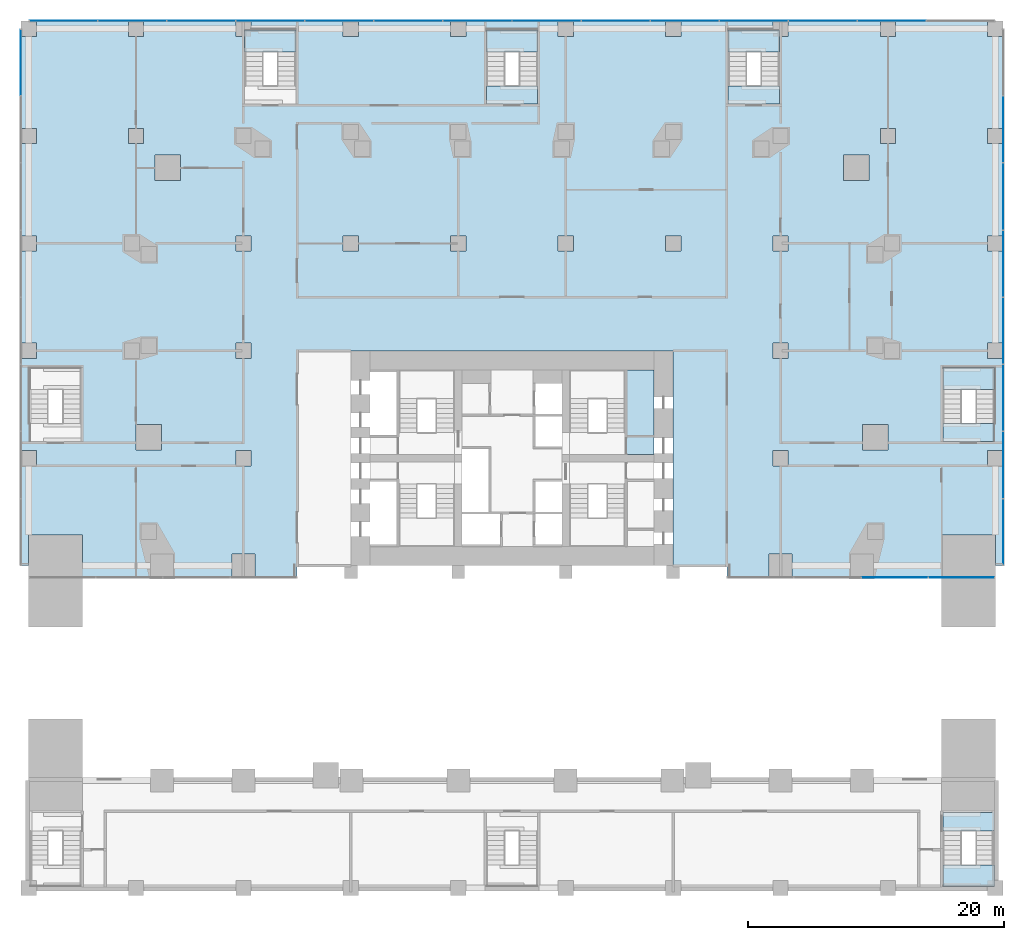
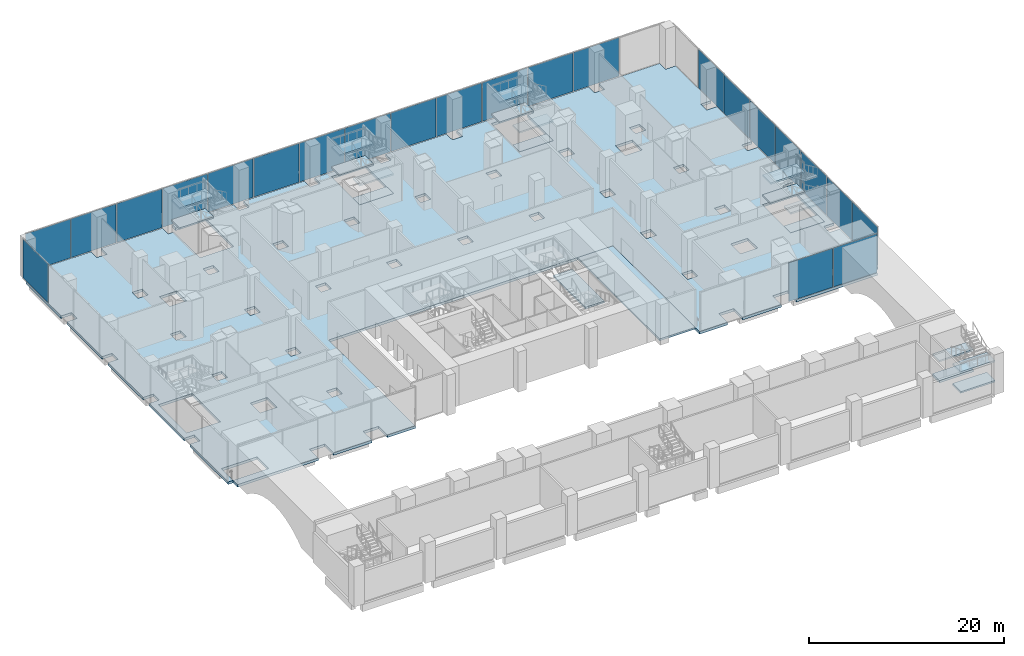
# One storey, part 14 of 28: 23 plates, 21 slabs, 9 elements without a shape of their own.
"""IFC4 building model written with IfcOpenShell, lengths in metres."""

from ifc_helpers import new_model, si_unit, direction, frame, origin, origin_2d, place, context, subcontext, project, spatial, polyline, rectangle, outline, extrude, material, layer, layer_set, type_object, element, aggregate, save


model = new_model("IFC4")

# Units and contexts
model_context = context("Model", 3, precision=1e-05, world=origin(), true_north=direction((0.0, 1.0)))
body_context = subcontext(model_context, "Body", "Model", "MODEL_VIEW")
ifc_project = project(units=[si_unit("LENGTHUNIT", "METRE"), si_unit("AREAUNIT", "SQUARE_METRE"), si_unit("VOLUMEUNIT", "CUBIC_METRE"), si_unit("PLANEANGLEUNIT", "RADIAN"), si_unit("MASSUNIT", "GRAM", prefix="KILO")], contexts=[model_context])

# Site, building, storey
site_placement = place(None, origin())
site = spatial("IfcSite", under=ifc_project, at=site_placement, CompositionType="ELEMENT")
building_placement = place(site_placement, origin())
building = spatial("IfcBuilding", under=site, at=building_placement, Name="Marenta Gate Hotel Tower", CompositionType="ELEMENT")
storey_placement = place(building_placement, frame((0.0, 0.0, 26.0)))
storey = spatial("IfcBuildingStorey", under=building, at=storey_placement, Name="L04", CompositionType="ELEMENT", Elevation=26.0)

# Slabs
ifc_material_1 = material(Name="Concrete C40", Category="concrete")
ifc_layer_1 = layer(ifc_material_1, 0.219970703125)
ifc_layer_set_1 = layer_set([ifc_layer_1], Name="Concrete C40")
slab_type_1 = type_object("IfcSlabType", Name="Core floor slab 220", PredefinedType="FLOOR", material=ifc_layer_set_1)
slab_1_placement = place(storey_placement, frame((0.0, 0.0, -0.219970703125)))
element("IfcSlab", 1, at=slab_1_placement, inside=storey, type_object=slab_type_1, Name="L04-CF-1", PredefinedType="FLOOR", context=body_context, shape_type="SweptSolid", body=[
    extrude(outline(polyline([(12.60009765625, 0.0), (12.60009765625, 16.800048828125), (16.800048828125, 16.800048828125), (16.800048828125, 0.0), (12.60009765625, 0.0)])), origin(), (0.0, 0.0, 1.0), 0.219970703125),
])
slab_2_placement = place(storey_placement, frame((0.0, 0.0, -0.219970703125)))
element("IfcSlab", 2, at=slab_2_placement, inside=storey, type_object=slab_type_1, Name="L04-CF-2", PredefinedType="FLOOR", context=body_context, shape_type="SweptSolid", body=[
    extrude(outline(polyline([(8.85009765625, 15.300048828125), (11.10009765625, 15.300048828125), (11.10009765625, 8.699951171875), (8.85009765625, 8.699951171875), (8.85009765625, 10.39990234375), (8.85009765625, 15.300048828125)])), origin(), (0.0, 0.0, 1.0), 0.219970703125),
])

# Stair, slabs
ifc_material_2 = material(Name="Concrete C40", Category="concrete")
stair_type = type_object("IfcStairType", Name="Podium exit stair 1430 wide", PredefinedType="HALF_TURN_STAIR", material=ifc_material_2)
stair_1_placement = place(storey_placement, origin())
stair_1 = element("IfcStair", 3, at=stair_1_placement, inside=storey, type_object=stair_type, Name="Podium exit stair 2", PredefinedType="HALF_TURN_STAIR")
ifc_material_3 = material(Name="Concrete C40", Category="concrete")
ifc_layer_2 = layer(ifc_material_3, 0.199951171875)
ifc_layer_set_2 = layer_set([ifc_layer_2], Name="Concrete C40")
slab_type_2 = type_object("IfcSlabType", Name="Core stair landing 200", PredefinedType="LANDING", material=ifc_layer_set_2)
slab_3_placement = place(storey_placement, frame((0.0, 0.0, 1.050048828125)))
slab_3 = element("IfcSlab", 4, at=slab_3_placement, type_object=slab_type_2, Name="SL-200 PX2 landing 1", PredefinedType="LANDING", context=body_context, shape_type="SweptSolid", body=[
    extrude(outline(polyline([(33.699951171875, -25.10009765625), (37.739990234375, -25.10009765625), (37.739990234375, -23.389892578125), (33.699951171875, -23.389892578125), (33.699951171875, -25.10009765625)])), origin(), (0.0, 0.0, 1.0), 0.199951171875),
])
slab_4_placement = place(storey_placement, frame((0.0, 0.0, 2.300048828125)))
slab_4 = element("IfcSlab", 5, at=slab_4_placement, type_object=slab_type_2, Name="SL-200 PX2 landing 2", PredefinedType="LANDING", context=body_context, shape_type="SweptSolid", body=[
    extrude(outline(polyline([(33.699951171875, -20.72998046875), (37.739990234375, -20.72998046875), (37.739990234375, -19.300048828125), (33.699951171875, -19.300048828125), (33.699951171875, -20.72998046875)])), origin(), (0.0, 0.0, 1.0), 0.199951171875),
])
slab_5_placement = place(storey_placement, frame((0.0, 0.0, 3.550048828125)))
slab_5 = element("IfcSlab", 6, at=slab_5_placement, type_object=slab_type_2, Name="SL-200 PX2 landing 3", PredefinedType="LANDING", context=body_context, shape_type="SweptSolid", body=[
    extrude(outline(polyline([(33.699951171875, -25.10009765625), (37.739990234375, -25.10009765625), (37.739990234375, -23.389892578125), (33.699951171875, -23.389892578125), (33.699951171875, -25.10009765625)])), origin(), (0.0, 0.0, 1.0), 0.199951171875),
])
aggregate(stair_1, [slab_3, slab_4, slab_5])

stair_2_placement = place(storey_placement, origin())
stair_2 = element("IfcStair", 7, at=stair_2_placement, inside=storey, type_object=stair_type, Name="Podium exit stair 3", PredefinedType="HALF_TURN_STAIR")
slab_6_placement = place(storey_placement, frame((0.0, 0.0, 1.050048828125)))
slab_6 = element("IfcSlab", 8, at=slab_6_placement, type_object=slab_type_2, Name="SL-200 PX3 landing 1", PredefinedType="LANDING", context=body_context, shape_type="SweptSolid", body=[
    extrude(outline(polyline([(-20.89990234375, 40.18994140625), (-16.89990234375, 40.18994140625), (-16.89990234375, 41.89990234375), (-20.89990234375, 41.89990234375), (-20.89990234375, 40.18994140625)])), origin(), (0.0, 0.0, 1.0), 0.199951171875),
])
slab_7_placement = place(storey_placement, frame((0.0, 0.0, 3.550048828125)))
slab_7 = element("IfcSlab", 9, at=slab_7_placement, type_object=slab_type_2, Name="SL-200 PX3 landing 3", PredefinedType="LANDING", context=body_context, shape_type="SweptSolid", body=[
    extrude(outline(polyline([(-20.89990234375, 40.18994140625), (-16.89990234375, 40.18994140625), (-16.89990234375, 41.89990234375), (-20.89990234375, 41.89990234375), (-20.89990234375, 40.18994140625)])), origin(), (0.0, 0.0, 1.0), 0.199951171875),
])
aggregate(stair_2, [slab_6, slab_7])

stair_3_placement = place(storey_placement, origin())
stair_3 = element("IfcStair", 10, at=stair_3_placement, inside=storey, type_object=stair_type, Name="Podium exit stair 4", PredefinedType="HALF_TURN_STAIR")
slab_8_placement = place(storey_placement, frame((0.0, 0.0, 1.050048828125)))
slab_8 = element("IfcSlab", 11, at=slab_8_placement, type_object=slab_type_2, Name="SL-200 PX4 landing 1", PredefinedType="LANDING", context=body_context, shape_type="SweptSolid", body=[
    extrude(outline(polyline([(16.89990234375, 40.18994140625), (20.89990234375, 40.18994140625), (20.89990234375, 41.89990234375), (16.89990234375, 41.89990234375), (16.89990234375, 40.18994140625)])), origin(), (0.0, 0.0, 1.0), 0.199951171875),
])
slab_9_placement = place(storey_placement, frame((0.0, 0.0, 2.300048828125)))
slab_9 = element("IfcSlab", 12, at=slab_9_placement, type_object=slab_type_2, Name="SL-200 PX4 landing 2", PredefinedType="LANDING", context=body_context, shape_type="SweptSolid", body=[
    extrude(outline(polyline([(16.89990234375, 36.10009765625), (20.89990234375, 36.10009765625), (20.89990234375, 37.530029296875), (16.89990234375, 37.530029296875), (16.89990234375, 36.10009765625)])), origin(), (0.0, 0.0, 1.0), 0.199951171875),
])
slab_10_placement = place(storey_placement, frame((0.0, 0.0, 3.550048828125)))
slab_10 = element("IfcSlab", 13, at=slab_10_placement, type_object=slab_type_2, Name="SL-200 PX4 landing 3", PredefinedType="LANDING", context=body_context, shape_type="SweptSolid", body=[
    extrude(outline(polyline([(16.89990234375, 40.18994140625), (20.89990234375, 40.18994140625), (20.89990234375, 41.89990234375), (16.89990234375, 41.89990234375), (16.89990234375, 40.18994140625)])), origin(), (0.0, 0.0, 1.0), 0.199951171875),
])
aggregate(stair_3, [slab_8, slab_9, slab_10])

stair_4_placement = place(storey_placement, origin())
stair_4 = element("IfcStair", 14, at=stair_4_placement, inside=storey, type_object=stair_type, Name="Podium exit stair 7", PredefinedType="HALF_TURN_STAIR")
slab_11_placement = place(storey_placement, frame((0.0, 0.0, 1.050048828125)))
slab_11 = element("IfcSlab", 15, at=slab_11_placement, type_object=slab_type_2, Name="SL-200 PX7 landing 1", PredefinedType="LANDING", context=body_context, shape_type="SweptSolid", body=[
    extrude(outline(polyline([(33.699951171875, 13.7900390625), (37.739990234375, 13.7900390625), (37.739990234375, 15.5), (33.699951171875, 15.5), (33.699951171875, 13.7900390625)])), origin(), (0.0, 0.0, 1.0), 0.199951171875),
])
slab_12_placement = place(storey_placement, frame((0.0, 0.0, 2.300048828125)))
slab_12 = element("IfcSlab", 16, at=slab_12_placement, type_object=slab_type_2, Name="SL-200 PX7 landing 2", PredefinedType="LANDING", context=body_context, shape_type="SweptSolid", body=[
    extrude(outline(polyline([(33.699951171875, 9.699951171875), (37.739990234375, 9.699951171875), (37.739990234375, 11.1298828125), (33.699951171875, 11.1298828125), (33.699951171875, 9.699951171875)])), origin(), (0.0, 0.0, 1.0), 0.199951171875),
])
slab_13_placement = place(storey_placement, frame((0.0, 0.0, 3.550048828125)))
slab_13 = element("IfcSlab", 17, at=slab_13_placement, type_object=slab_type_2, Name="SL-200 PX7 landing 3", PredefinedType="LANDING", context=body_context, shape_type="SweptSolid", body=[
    extrude(outline(polyline([(33.699951171875, 13.7900390625), (37.739990234375, 13.7900390625), (37.739990234375, 15.5), (33.699951171875, 15.5), (33.699951171875, 13.7900390625)])), origin(), (0.0, 0.0, 1.0), 0.199951171875),
])
aggregate(stair_4, [slab_11, slab_12, slab_13])

stair_5_placement = place(storey_placement, origin())
stair_5 = element("IfcStair", 18, at=stair_5_placement, inside=storey, type_object=stair_type, Name="Podium exit stair 8", PredefinedType="HALF_TURN_STAIR")
slab_14_placement = place(storey_placement, frame((0.0, 0.0, 1.050048828125)))
slab_14 = element("IfcSlab", 19, at=slab_14_placement, type_object=slab_type_2, Name="SL-200 PX8 landing 1", PredefinedType="LANDING", context=body_context, shape_type="SweptSolid", body=[
    extrude(outline(polyline([(-2.0, 40.18994140625), (2.0, 40.18994140625), (2.0, 41.89990234375), (-2.0, 41.89990234375), (-2.0, 40.18994140625)])), origin(), (0.0, 0.0, 1.0), 0.199951171875),
])
slab_15_placement = place(storey_placement, frame((0.0, 0.0, 2.300048828125)))
slab_15 = element("IfcSlab", 20, at=slab_15_placement, type_object=slab_type_2, Name="SL-200 PX8 landing 2", PredefinedType="LANDING", context=body_context, shape_type="SweptSolid", body=[
    extrude(outline(polyline([(-2.0, 36.10009765625), (2.0, 36.10009765625), (2.0, 37.530029296875), (-2.0, 37.530029296875), (-2.0, 36.10009765625)])), origin(), (0.0, 0.0, 1.0), 0.199951171875),
])
slab_16_placement = place(storey_placement, frame((0.0, 0.0, 3.550048828125)))
slab_16 = element("IfcSlab", 21, at=slab_16_placement, type_object=slab_type_2, Name="SL-200 PX8 landing 3", PredefinedType="LANDING", context=body_context, shape_type="SweptSolid", body=[
    extrude(outline(polyline([(-2.0, 40.18994140625), (2.0, 40.18994140625), (2.0, 41.89990234375), (-2.0, 41.89990234375), (-2.0, 40.18994140625)])), origin(), (0.0, 0.0, 1.0), 0.199951171875),
])
aggregate(stair_5, [slab_14, slab_15, slab_16])

# Curtain wall, plates
ifc_material_4 = material(Name="Tinted insulated glass in bronze anodised frame", Category="glass")
ifc_layer_3 = layer(ifc_material_4, 0.1201171875)
ifc_layer_set_3 = layer_set([ifc_layer_3], Name="Tinted insulated glass in bronze anodised frame")
curtain_wall_type = type_object("IfcCurtainWallType", Name="Wellness glazing CW7", PredefinedType="NOTDEFINED", material=ifc_layer_set_3)
curtain_wall_1_placement = place(storey_placement, origin())
curtain_wall_1 = element("IfcCurtainWall", 22, at=curtain_wall_1_placement, inside=storey, type_object=curtain_wall_type, Name="CW7 run NB-S100", PredefinedType="NOTDEFINED")
ifc_material_5 = material(Name="Tinted insulated glass", Category="glass")
ifc_layer_4 = layer(ifc_material_5, 0.030029296875)
ifc_layer_set_4 = layer_set([ifc_layer_4], Name="Tinted insulated glass")
plate_type = type_object("IfcPlateType", Name="Glass panel CW7 30 mm tinted insulated unit", PredefinedType="CURTAIN_PANEL", material=ifc_layer_set_4)
plate_1_placement = place(storey_placement, frame((29.925048828125, -0.9140625, 0.074951171875), z_axis=(0.0, 0.0, 1.0), x_axis=(1.0, 0.0, 0.0)))
plate_1 = element("IfcPlate", 23, at=plate_1_placement, type_object=plate_type, Name="CW7 panel 3.1", PredefinedType="CURTAIN_PANEL", context=body_context, shape_type="SweptSolid", body=[
    extrude(rectangle(XDim=5.175048828125, YDim=0.030029296875, at=origin_2d()), origin(), (0.0, 0.0, 1.0), 4.85009765625),
])
plate_2_placement = place(storey_placement, frame((35.15625, -0.9140625, 0.074951171875), z_axis=(0.0, 0.0, 1.0), x_axis=(1.0, 0.0, 0.0)))
plate_2 = element("IfcPlate", 24, at=plate_2_placement, type_object=plate_type, Name="CW7 panel 4.1", PredefinedType="CURTAIN_PANEL", context=body_context, shape_type="SweptSolid", body=[
    extrude(rectangle(XDim=5.137451171875, YDim=0.030029296875, at=origin_2d()), origin(), (0.0, 0.0, 1.0), 4.85009765625),
])
aggregate(curtain_wall_1, [plate_1, plate_2])

curtain_wall_2_placement = place(storey_placement, origin())
curtain_wall_2 = element("IfcCurtainWall", 25, at=curtain_wall_2_placement, inside=storey, type_object=curtain_wall_type, Name="CW7 run NB-E000", PredefinedType="NOTDEFINED")
plate_3_placement = place(storey_placement, frame((38.4140625, 2.643798828125, 0.074951171875), z_axis=(0.0, 0.0, 1.0), x_axis=(0.0, 1.0, 0.0)))
plate_3 = element("IfcPlate", 26, at=plate_3_placement, type_object=plate_type, Name="CW7 panel 1.1", PredefinedType="CURTAIN_PANEL", context=body_context, shape_type="SweptSolid", body=[
    extrude(rectangle(XDim=5.137451171875, YDim=0.030029296875, at=origin_2d()), origin(), (0.0, 0.0, 1.0), 4.85009765625),
])
plate_4_placement = place(storey_placement, frame((38.4140625, 7.875, 0.074951171875), z_axis=(0.0, 0.0, 1.0), x_axis=(0.0, 1.0, 0.0)))
plate_4 = element("IfcPlate", 27, at=plate_4_placement, type_object=plate_type, Name="CW7 panel 2.1", PredefinedType="CURTAIN_PANEL", context=body_context, shape_type="SweptSolid", body=[
    extrude(rectangle(XDim=5.175048828125, YDim=0.030029296875, at=origin_2d()), origin(), (0.0, 0.0, 1.0), 4.85009765625),
])
plate_5_placement = place(storey_placement, frame((38.4140625, 13.125, 0.074951171875), z_axis=(0.0, 0.0, 1.0), x_axis=(0.0, 1.0, 0.0)))
plate_5 = element("IfcPlate", 28, at=plate_5_placement, type_object=plate_type, Name="CW7 panel 3.1", PredefinedType="CURTAIN_PANEL", context=body_context, shape_type="SweptSolid", body=[
    extrude(rectangle(XDim=5.175048828125, YDim=0.030029296875, at=origin_2d()), origin(), (0.0, 0.0, 1.0), 4.85009765625),
])
plate_6_placement = place(storey_placement, frame((38.4140625, 18.375, 0.074951171875), z_axis=(0.0, 0.0, 1.0), x_axis=(0.0, 1.0, 0.0)))
plate_6 = element("IfcPlate", 29, at=plate_6_placement, type_object=plate_type, Name="CW7 panel 4.1", PredefinedType="CURTAIN_PANEL", context=body_context, shape_type="SweptSolid", body=[
    extrude(rectangle(XDim=5.175048828125, YDim=0.030029296875, at=origin_2d()), origin(), (0.0, 0.0, 1.0), 4.85009765625),
])
plate_7_placement = place(storey_placement, frame((38.4140625, 23.625, 0.074951171875), z_axis=(0.0, 0.0, 1.0), x_axis=(0.0, 1.0, 0.0)))
plate_7 = element("IfcPlate", 30, at=plate_7_placement, type_object=plate_type, Name="CW7 panel 5.1", PredefinedType="CURTAIN_PANEL", context=body_context, shape_type="SweptSolid", body=[
    extrude(rectangle(XDim=5.175048828125, YDim=0.030029296875, at=origin_2d()), origin(), (0.0, 0.0, 1.0), 4.85009765625),
])
plate_8_placement = place(storey_placement, frame((38.4140625, 28.875, 0.074951171875), z_axis=(0.0, 0.0, 1.0), x_axis=(0.0, 1.0, 0.0)))
plate_8 = element("IfcPlate", 31, at=plate_8_placement, type_object=plate_type, Name="CW7 panel 6.1", PredefinedType="CURTAIN_PANEL", context=body_context, shape_type="SweptSolid", body=[
    extrude(rectangle(XDim=5.175048828125, YDim=0.030029296875, at=origin_2d()), origin(), (0.0, 0.0, 1.0), 4.85009765625),
])
plate_9_placement = place(storey_placement, frame((38.4140625, 34.125, 0.074951171875), z_axis=(0.0, 0.0, 1.0), x_axis=(0.0, 1.0, 0.0)))
plate_9 = element("IfcPlate", 32, at=plate_9_placement, type_object=plate_type, Name="CW7 panel 7.1", PredefinedType="CURTAIN_PANEL", context=body_context, shape_type="SweptSolid", body=[
    extrude(rectangle(XDim=5.175048828125, YDim=0.030029296875, at=origin_2d()), origin(), (0.0, 0.0, 1.0), 4.85009765625),
])
aggregate(curtain_wall_2, [plate_3, plate_4, plate_5, plate_6, plate_7, plate_8, plate_9])

curtain_wall_3_placement = place(storey_placement, origin())
curtain_wall_3 = element("IfcCurtainWall", 33, at=curtain_wall_3_placement, inside=storey, type_object=curtain_wall_type, Name="CW7 run NB-N000", PredefinedType="NOTDEFINED")
plate_10_placement = place(storey_placement, frame((29.699951171875, 42.614013671875, 0.074951171875), z_axis=(0.0, 0.0, 1.0), x_axis=(-1.0, 0.0, 0.0)))
plate_10 = element("IfcPlate", 34, at=plate_10_placement, type_object=plate_type, Name="CW7 panel 2.1", PredefinedType="CURTAIN_PANEL", context=body_context, shape_type="SweptSolid", body=[
    extrude(rectangle(XDim=5.324951171875, YDim=0.030029296875, at=origin_2d()), origin(), (0.0, 0.0, 1.0), 4.85009765625),
])
plate_11_placement = place(storey_placement, frame((24.300048828125, 42.614013671875, 0.074951171875), z_axis=(0.0, 0.0, 1.0), x_axis=(-1.0, 0.0, 0.0)))
plate_11 = element("IfcPlate", 35, at=plate_11_placement, type_object=plate_type, Name="CW7 panel 3.1", PredefinedType="CURTAIN_PANEL", context=body_context, shape_type="SweptSolid", body=[
    extrude(rectangle(XDim=5.324951171875, YDim=0.030029296875, at=origin_2d()), origin(), (0.0, 0.0, 1.0), 4.85009765625),
])
plate_12_placement = place(storey_placement, frame((18.89990234375, 42.614013671875, 0.074951171875), z_axis=(0.0, 0.0, 1.0), x_axis=(-1.0, 0.0, 0.0)))
plate_12 = element("IfcPlate", 36, at=plate_12_placement, type_object=plate_type, Name="CW7 panel 4.1", PredefinedType="CURTAIN_PANEL", context=body_context, shape_type="SweptSolid", body=[
    extrude(rectangle(XDim=5.324951171875, YDim=0.030029296875, at=origin_2d()), origin(), (0.0, 0.0, 1.0), 4.85009765625),
])
plate_13_placement = place(storey_placement, frame((13.5, 42.614013671875, 0.074951171875), z_axis=(0.0, 0.0, 1.0), x_axis=(-1.0, 0.0, 0.0)))
plate_13 = element("IfcPlate", 37, at=plate_13_placement, type_object=plate_type, Name="CW7 panel 5.1", PredefinedType="CURTAIN_PANEL", context=body_context, shape_type="SweptSolid", body=[
    extrude(rectangle(XDim=5.324951171875, YDim=0.030029296875, at=origin_2d()), origin(), (0.0, 0.0, 1.0), 4.85009765625),
])
plate_14_placement = place(storey_placement, frame((8.10009765625, 42.614013671875, 0.074951171875), z_axis=(0.0, 0.0, 1.0), x_axis=(-1.0, 0.0, 0.0)))
plate_14 = element("IfcPlate", 38, at=plate_14_placement, type_object=plate_type, Name="CW7 panel 6.1", PredefinedType="CURTAIN_PANEL", context=body_context, shape_type="SweptSolid", body=[
    extrude(rectangle(XDim=5.324951171875, YDim=0.030029296875, at=origin_2d()), origin(), (0.0, 0.0, 1.0), 4.85009765625),
])
plate_15_placement = place(storey_placement, frame((2.699951171875, 42.614013671875, 0.074951171875), z_axis=(0.0, 0.0, 1.0), x_axis=(-1.0, 0.0, 0.0)))
plate_15 = element("IfcPlate", 39, at=plate_15_placement, type_object=plate_type, Name="CW7 panel 7.1", PredefinedType="CURTAIN_PANEL", context=body_context, shape_type="SweptSolid", body=[
    extrude(rectangle(XDim=5.324951171875, YDim=0.030029296875, at=origin_2d()), origin(), (0.0, 0.0, 1.0), 4.85009765625),
])
plate_16_placement = place(storey_placement, frame((-2.699951171875, 42.614013671875, 0.074951171875), z_axis=(0.0, 0.0, 1.0), x_axis=(-1.0, 0.0, 0.0)))
plate_16 = element("IfcPlate", 40, at=plate_16_placement, type_object=plate_type, Name="CW7 panel 8.1", PredefinedType="CURTAIN_PANEL", context=body_context, shape_type="SweptSolid", body=[
    extrude(rectangle(XDim=5.324951171875, YDim=0.030029296875, at=origin_2d()), origin(), (0.0, 0.0, 1.0), 4.85009765625),
])
plate_17_placement = place(storey_placement, frame((-8.10009765625, 42.614013671875, 0.074951171875), z_axis=(0.0, 0.0, 1.0), x_axis=(-1.0, 0.0, 0.0)))
plate_17 = element("IfcPlate", 41, at=plate_17_placement, type_object=plate_type, Name="CW7 panel 9.1", PredefinedType="CURTAIN_PANEL", context=body_context, shape_type="SweptSolid", body=[
    extrude(rectangle(XDim=5.324951171875, YDim=0.030029296875, at=origin_2d()), origin(), (0.0, 0.0, 1.0), 4.85009765625),
])
plate_18_placement = place(storey_placement, frame((-13.5, 42.614013671875, 0.074951171875), z_axis=(0.0, 0.0, 1.0), x_axis=(-1.0, 0.0, 0.0)))
plate_18 = element("IfcPlate", 42, at=plate_18_placement, type_object=plate_type, Name="CW7 panel 10.1", PredefinedType="CURTAIN_PANEL", context=body_context, shape_type="SweptSolid", body=[
    extrude(rectangle(XDim=5.324951171875, YDim=0.030029296875, at=origin_2d()), origin(), (0.0, 0.0, 1.0), 4.85009765625),
])
plate_19_placement = place(storey_placement, frame((-18.89990234375, 42.614013671875, 0.074951171875), z_axis=(0.0, 0.0, 1.0), x_axis=(-1.0, 0.0, 0.0)))
plate_19 = element("IfcPlate", 43, at=plate_19_placement, type_object=plate_type, Name="CW7 panel 11.1", PredefinedType="CURTAIN_PANEL", context=body_context, shape_type="SweptSolid", body=[
    extrude(rectangle(XDim=5.324951171875, YDim=0.030029296875, at=origin_2d()), origin(), (0.0, 0.0, 1.0), 4.85009765625),
])
plate_20_placement = place(storey_placement, frame((-24.300048828125, 42.614013671875, 0.074951171875), z_axis=(0.0, 0.0, 1.0), x_axis=(-1.0, 0.0, 0.0)))
plate_20 = element("IfcPlate", 44, at=plate_20_placement, type_object=plate_type, Name="CW7 panel 12.1", PredefinedType="CURTAIN_PANEL", context=body_context, shape_type="SweptSolid", body=[
    extrude(rectangle(XDim=5.324951171875, YDim=0.030029296875, at=origin_2d()), origin(), (0.0, 0.0, 1.0), 4.85009765625),
])
plate_21_placement = place(storey_placement, frame((-29.699951171875, 42.614013671875, 0.074951171875), z_axis=(0.0, 0.0, 1.0), x_axis=(-1.0, 0.0, 0.0)))
plate_21 = element("IfcPlate", 45, at=plate_21_placement, type_object=plate_type, Name="CW7 panel 13.1", PredefinedType="CURTAIN_PANEL", context=body_context, shape_type="SweptSolid", body=[
    extrude(rectangle(XDim=5.324951171875, YDim=0.030029296875, at=origin_2d()), origin(), (0.0, 0.0, 1.0), 4.85009765625),
])
plate_22_placement = place(storey_placement, frame((-35.081298828125, 42.614013671875, 0.074951171875), z_axis=(0.0, 0.0, 1.0), x_axis=(-1.0, 0.0, 0.0)))
plate_22 = element("IfcPlate", 46, at=plate_22_placement, type_object=plate_type, Name="CW7 panel 14.1", PredefinedType="CURTAIN_PANEL", context=body_context, shape_type="SweptSolid", body=[
    extrude(rectangle(XDim=5.28759765625, YDim=0.030029296875, at=origin_2d()), origin(), (0.0, 0.0, 1.0), 4.85009765625),
])
aggregate(curtain_wall_3, [plate_10, plate_11, plate_12, plate_13, plate_14, plate_15, plate_16, plate_17, plate_18, plate_19, plate_20, plate_21, plate_22])

# Curtain wall, plate
curtain_wall_4_placement = place(storey_placement, origin())
curtain_wall_4 = element("IfcCurtainWall", 47, at=curtain_wall_4_placement, inside=storey, type_object=curtain_wall_type, Name="CW7 run NB-W000", PredefinedType="NOTDEFINED")
plate_23_placement = place(storey_placement, frame((-38.4140625, 39.356201171875, 0.074951171875), z_axis=(0.0, 0.0, 1.0), x_axis=(0.0, -1.0, 0.0)))
plate_23 = element("IfcPlate", 48, at=plate_23_placement, type_object=plate_type, Name="CW7 panel 1.1", PredefinedType="CURTAIN_PANEL", context=body_context, shape_type="SweptSolid", body=[
    extrude(rectangle(XDim=5.137451171875, YDim=0.030029296875, at=origin_2d()), origin(), (0.0, 0.0, 1.0), 4.85009765625),
])
aggregate(curtain_wall_4, [plate_23])

# Slabs
ifc_material_6 = material(Name="Concrete C40", Category="concrete")
ifc_layer_5 = layer(ifc_material_6, 0.320068359375)
ifc_layer_set_5 = layer_set([ifc_layer_5], Name="Concrete C40")
slab_type_3 = type_object("IfcSlabType", Name="Podium flat slab 320 C40", PredefinedType="FLOOR", material=ifc_layer_set_5)
slab_17_placement = place(storey_placement, frame((0.0, 0.0, -0.320068359375)))
element("IfcSlab", 49, at=slab_17_placement, inside=storey, type_object=slab_type_3, Name="PS1 L04-PSL-1", PredefinedType="FLOOR", context=body_context, shape_type="SweptSolid", body=[
    extrude(outline(polyline([(-20.10009765625, -0.89990234375), (-16.800048828125, -0.89990234375), (-16.800048828125, 0.0), (-16.800048828125, 16.800048828125), (16.800048828125, 16.800048828125), (16.800048828125, 0.0), (16.800048828125, -0.89990234375), (20.10009765625, -0.89990234375), (20.10009765625, 0.89990234375), (21.89990234375, 0.89990234375), (21.89990234375, -0.89990234375), (26.462890625, -0.89990234375), (26.462890625, 0.89990234375), (28.262939453125, 0.89990234375), (28.262939453125, -0.89990234375), (37.800048828125, -0.89990234375), (37.800048828125, 0.0), (38.39990234375, 0.0), (38.39990234375, 7.800048828125), (37.199951171875, 7.800048828125), (37.199951171875, 9.0), (38.39990234375, 9.0), (38.39990234375, 16.199951171875), (37.199951171875, 16.199951171875), (37.199951171875, 17.39990234375), (38.39990234375, 17.39990234375), (38.39990234375, 24.60009765625), (37.199951171875, 24.60009765625), (37.199951171875, 25.800048828125), (38.39990234375, 25.800048828125), (38.39990234375, 33.0), (37.199951171875, 33.0), (37.199951171875, 34.199951171875), (38.39990234375, 34.199951171875), (38.39990234375, 41.39990234375), (37.199951171875, 41.39990234375), (37.199951171875, 42.60009765625), (30.0, 42.60009765625), (30.0, 41.39990234375), (28.800048828125, 41.39990234375), (28.800048828125, 42.60009765625), (21.60009765625, 42.60009765625), (21.60009765625, 41.39990234375), (20.89990234375, 41.39990234375), (20.89990234375, 36.10009765625), (16.89990234375, 36.10009765625), (16.89990234375, 41.89990234375), (20.39990234375, 41.89990234375), (20.39990234375, 42.60009765625), (13.199951171875, 42.60009765625), (13.199951171875, 41.39990234375), (12.0, 41.39990234375), (12.0, 42.60009765625), (4.800048828125, 42.60009765625), (4.800048828125, 41.39990234375), (3.60009765625, 41.39990234375), (3.60009765625, 42.60009765625), (-3.60009765625, 42.60009765625), (-3.60009765625, 41.39990234375), (-4.800048828125, 41.39990234375), (-4.800048828125, 42.60009765625), (-12.0, 42.60009765625), (-12.0, 41.39990234375), (-13.199951171875, 41.39990234375), (-13.199951171875, 42.60009765625), (-20.39990234375, 42.60009765625), (-20.39990234375, 41.89990234375), (-16.89990234375, 41.89990234375), (-16.89990234375, 36.10009765625), (-20.89990234375, 36.10009765625), (-20.89990234375, 41.39990234375), (-21.60009765625, 41.39990234375), (-21.60009765625, 42.60009765625), (-28.800048828125, 42.60009765625), (-28.800048828125, 41.39990234375), (-30.0, 41.39990234375), (-30.0, 42.60009765625), (-37.199951171875, 42.60009765625), (-37.199951171875, 41.39990234375), (-38.39990234375, 41.39990234375), (-38.39990234375, 34.199951171875), (-37.199951171875, 34.199951171875), (-37.199951171875, 33.0), (-38.39990234375, 33.0), (-38.39990234375, 25.800048828125), (-37.199951171875, 25.800048828125), (-37.199951171875, 24.60009765625), (-38.39990234375, 24.60009765625), (-38.39990234375, 17.39990234375), (-37.199951171875, 17.39990234375), (-37.199951171875, 16.199951171875), (-38.39990234375, 16.199951171875), (-38.39990234375, 9.0), (-37.199951171875, 9.0), (-37.199951171875, 7.800048828125), (-38.39990234375, 7.800048828125), (-38.39990234375, 0.0), (-37.800048828125, 0.0), (-37.800048828125, -0.89990234375), (-28.262939453125, -0.89990234375), (-28.262939453125, 0.89990234375), (-26.462890625, 0.89990234375), (-26.462890625, -0.89990234375), (-21.89990234375, -0.89990234375), (-21.89990234375, 0.89990234375), (-20.10009765625, 0.89990234375), (-20.10009765625, -0.89990234375)]), holes=[polyline([(33.60009765625, 0.0), (33.60009765625, 2.39990234375), (37.7900390625, 2.39990234375), (37.7900390625, 0.0), (33.60009765625, 0.0)]), polyline([(33.699951171875, 9.699951171875), (33.699951171875, 15.5), (37.699951171875, 15.5), (37.699951171875, 9.699951171875), (33.699951171875, 9.699951171875)]), polyline([(29.1201171875, 24.60009765625), (29.1201171875, 25.800048828125), (30.320068359375, 25.800048828125), (30.320068359375, 24.60009765625), (29.1201171875, 24.60009765625)]), polyline([(29.1201171875, 16.199951171875), (29.1201171875, 17.39990234375), (30.320068359375, 17.39990234375), (30.320068359375, 16.199951171875), (29.1201171875, 16.199951171875)]), polyline([(28.800048828125, 34.199951171875), (30.0, 34.199951171875), (30.0, 33.0), (28.800048828125, 33.0), (28.800048828125, 34.199951171875)]), polyline([(27.39990234375, 9.050048828125), (27.39990234375, 11.050048828125), (29.39990234375, 11.050048828125), (29.39990234375, 9.050048828125), (27.39990234375, 9.050048828125)]), polyline([(25.935546875, 32.135498046875), (27.935546875, 32.135498046875), (27.935546875, 30.135498046875), (25.935546875, 30.135498046875), (25.935546875, 32.135498046875)]), polyline([(20.39990234375, 33.0), (20.39990234375, 34.199951171875), (21.60009765625, 34.199951171875), (21.60009765625, 33.0), (20.39990234375, 33.0)]), polyline([(20.39990234375, 9.0), (21.60009765625, 9.0), (21.60009765625, 7.800048828125), (20.39990234375, 7.800048828125), (20.39990234375, 9.0)]), polyline([(20.39990234375, 17.39990234375), (21.60009765625, 17.39990234375), (21.60009765625, 16.199951171875), (20.39990234375, 16.199951171875), (20.39990234375, 17.39990234375)]), polyline([(20.39990234375, 24.60009765625), (20.39990234375, 25.800048828125), (21.60009765625, 25.800048828125), (21.60009765625, 24.60009765625), (20.39990234375, 24.60009765625)]), polyline([(12.0, 33.320068359375), (12.0, 34.52001953125), (13.199951171875, 34.52001953125), (13.199951171875, 33.320068359375), (12.0, 33.320068359375)]), polyline([(12.0, 24.60009765625), (12.0, 25.800048828125), (13.199951171875, 25.800048828125), (13.199951171875, 24.60009765625), (12.0, 24.60009765625)]), polyline([(3.60009765625, 34.52001953125), (4.800048828125, 34.52001953125), (4.800048828125, 33.320068359375), (3.60009765625, 33.320068359375), (3.60009765625, 34.52001953125)]), polyline([(3.60009765625, 24.60009765625), (3.60009765625, 25.800048828125), (4.800048828125, 25.800048828125), (4.800048828125, 24.60009765625), (3.60009765625, 24.60009765625)]), polyline([(-2.0, 36.10009765625), (-2.0, 41.89990234375), (2.0, 41.89990234375), (2.0, 36.10009765625), (-2.0, 36.10009765625)]), polyline([(-4.800048828125, 34.52001953125), (-3.60009765625, 34.52001953125), (-3.60009765625, 33.320068359375), (-4.800048828125, 33.320068359375), (-4.800048828125, 34.52001953125)]), polyline([(-4.800048828125, 25.800048828125), (-3.60009765625, 25.800048828125), (-3.60009765625, 24.60009765625), (-4.800048828125, 24.60009765625), (-4.800048828125, 25.800048828125)]), polyline([(-13.199951171875, 33.320068359375), (-13.199951171875, 34.52001953125), (-12.0, 34.52001953125), (-12.0, 33.320068359375), (-13.199951171875, 33.320068359375)]), polyline([(-13.199951171875, 24.60009765625), (-13.199951171875, 25.800048828125), (-12.0, 25.800048828125), (-12.0, 24.60009765625), (-13.199951171875, 24.60009765625)]), polyline([(-21.60009765625, 33.0), (-21.60009765625, 34.199951171875), (-20.39990234375, 34.199951171875), (-20.39990234375, 33.0), (-21.60009765625, 33.0)]), polyline([(-21.60009765625, 25.800048828125), (-20.39990234375, 25.800048828125), (-20.39990234375, 24.60009765625), (-21.60009765625, 24.60009765625), (-21.60009765625, 25.800048828125)]), polyline([(-21.60009765625, 16.199951171875), (-21.60009765625, 17.39990234375), (-20.39990234375, 17.39990234375), (-20.39990234375, 16.199951171875), (-21.60009765625, 16.199951171875)]), polyline([(-21.60009765625, 7.800048828125), (-21.60009765625, 9.0), (-20.39990234375, 9.0), (-20.39990234375, 7.800048828125), (-21.60009765625, 7.800048828125)]), polyline([(-27.935546875, 30.135498046875), (-27.935546875, 32.135498046875), (-25.935546875, 32.135498046875), (-25.935546875, 30.135498046875), (-27.935546875, 30.135498046875)]), polyline([(-29.39990234375, 9.050048828125), (-29.39990234375, 11.050048828125), (-27.39990234375, 11.050048828125), (-27.39990234375, 9.050048828125), (-29.39990234375, 9.050048828125)]), polyline([(-30.0, 33.0), (-30.0, 34.199951171875), (-28.800048828125, 34.199951171875), (-28.800048828125, 33.0), (-30.0, 33.0)]), polyline([(-30.320068359375, 25.800048828125), (-29.1201171875, 25.800048828125), (-29.1201171875, 24.60009765625), (-30.320068359375, 24.60009765625), (-30.320068359375, 25.800048828125)]), polyline([(-30.320068359375, 16.199951171875), (-30.320068359375, 17.39990234375), (-29.1201171875, 17.39990234375), (-29.1201171875, 16.199951171875), (-30.320068359375, 16.199951171875)]), polyline([(-37.7900390625, 2.39990234375), (-33.60009765625, 2.39990234375), (-33.60009765625, 0.0), (-37.7900390625, 0.0), (-37.7900390625, 2.39990234375)]), polyline([(-37.699951171875, 15.5), (-33.699951171875, 15.5), (-33.699951171875, 9.699951171875), (-37.699951171875, 9.699951171875), (-37.699951171875, 15.5)])]), origin(), (0.0, 0.0, 1.0), 0.320068359375),
])
ifc_material_7 = material(Name="Concrete C40", Category="concrete")
ifc_layer_6 = layer(ifc_material_7, 0.300048828125)
ifc_layer_set_6 = layer_set([ifc_layer_6], Name="Concrete C40")
slab_type_4 = type_object("IfcSlabType", Name="Stair floor landing slab 300", PredefinedType="FLOOR", material=ifc_layer_set_6)
slab_18_placement = place(storey_placement, frame((0.0, 0.0, -0.300048828125)))
element("IfcSlab", 50, at=slab_18_placement, inside=storey, type_object=slab_type_4, Name="L04-CL-PX2-1", PredefinedType="FLOOR", context=body_context, shape_type="SweptSolid", body=[
    extrude(outline(polyline([(37.699951171875, -20.72998046875), (33.699951171875, -20.72998046875), (33.699951171875, -19.300048828125), (37.699951171875, -19.300048828125), (37.699951171875, -20.72998046875)])), origin(), (0.0, 0.0, 1.0), 0.300048828125),
])
slab_19_placement = place(storey_placement, frame((0.0, 0.0, -0.300048828125)))
element("IfcSlab", 51, at=slab_19_placement, inside=storey, type_object=slab_type_4, Name="L04-CL-PX4-1", PredefinedType="FLOOR", context=body_context, shape_type="SweptSolid", body=[
    extrude(outline(polyline([(20.89990234375, 36.10009765625), (16.89990234375, 36.10009765625), (16.89990234375, 37.530029296875), (20.89990234375, 37.530029296875), (20.89990234375, 36.10009765625)])), origin(), (0.0, 0.0, 1.0), 0.300048828125),
])
slab_20_placement = place(storey_placement, frame((0.0, 0.0, -0.300048828125)))
element("IfcSlab", 52, at=slab_20_placement, inside=storey, type_object=slab_type_4, Name="L04-CL-PX7-1", PredefinedType="FLOOR", context=body_context, shape_type="SweptSolid", body=[
    extrude(outline(polyline([(37.699951171875, 9.699951171875), (33.699951171875, 9.699951171875), (33.699951171875, 11.1298828125), (37.699951171875, 11.1298828125), (37.699951171875, 9.699951171875)])), origin(), (0.0, 0.0, 1.0), 0.300048828125),
])
slab_21_placement = place(storey_placement, frame((0.0, 0.0, -0.300048828125)))
element("IfcSlab", 53, at=slab_21_placement, inside=storey, type_object=slab_type_4, Name="L04-CL-PX8-1", PredefinedType="FLOOR", context=body_context, shape_type="SweptSolid", body=[
    extrude(outline(polyline([(2.0, 36.10009765625), (-2.0, 36.10009765625), (-2.0, 37.530029296875), (2.0, 37.530029296875), (2.0, 36.10009765625)])), origin(), (0.0, 0.0, 1.0), 0.300048828125),
])

save(model, "model.ifc")
